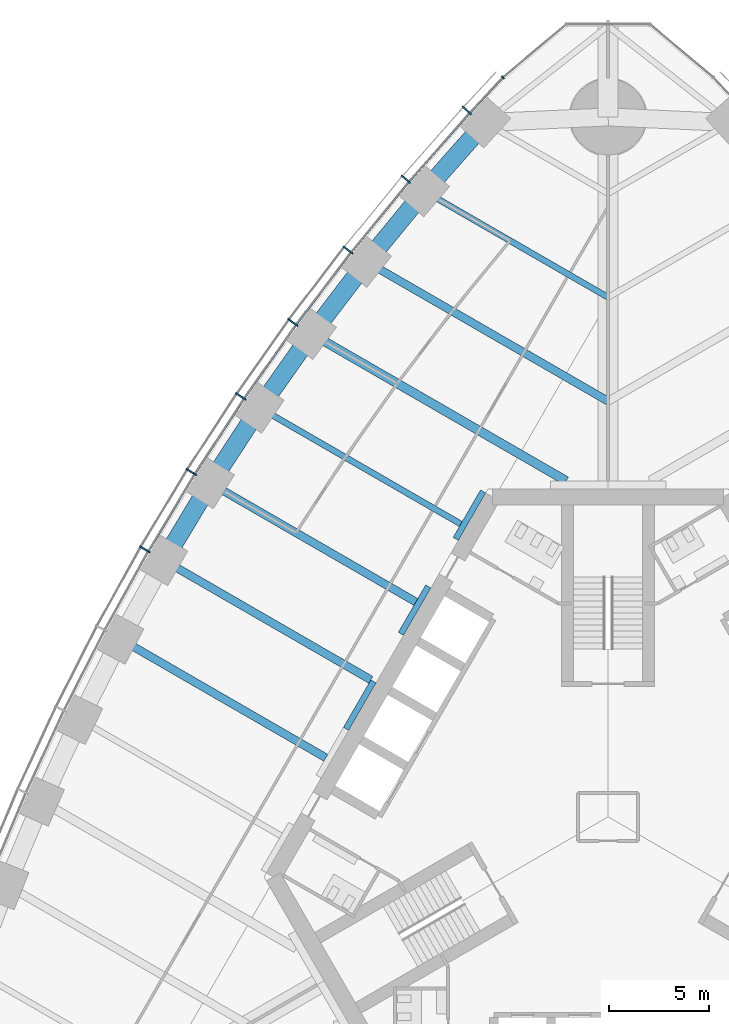
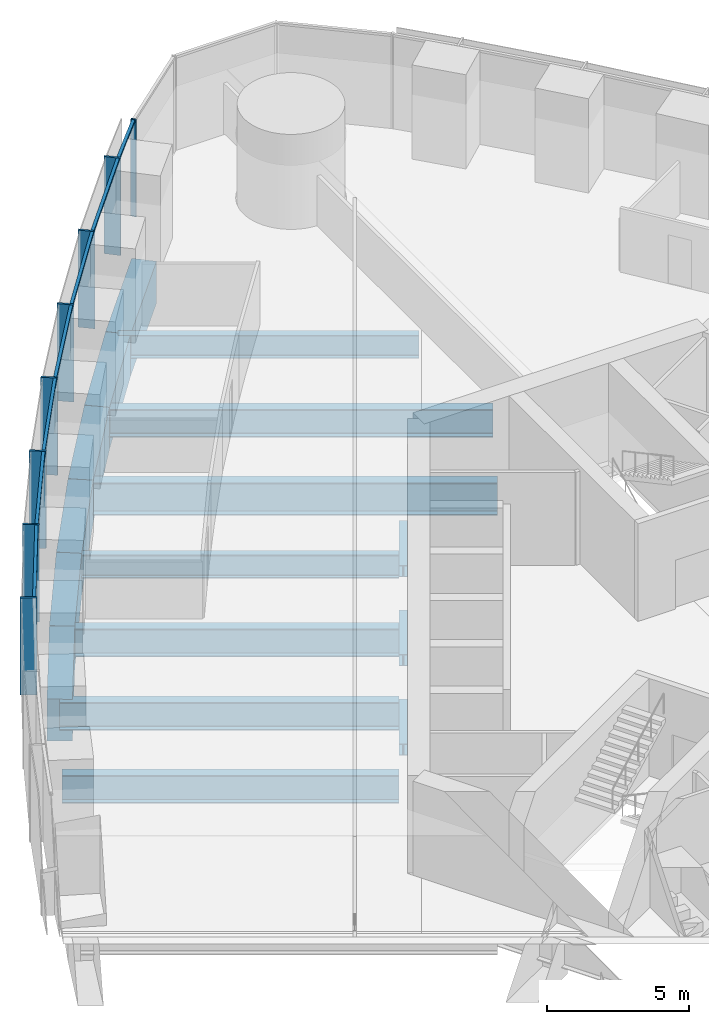
# One storey, part 4 of 18: 16 beams, 15 members, 2 elements without a shape of their own.
"""IFC4 building model written with IfcOpenShell, lengths in metres."""

from ifc_helpers import new_model, si_unit, direction, frame, origin, origin_2d, place, context, subcontext, project, spatial, rectangle, i_section, extrude, material, material_profile, profile_set, type_object, element, aggregate, save


model = new_model("IFC4")

# Units and contexts
model_context = context("Model", 3, precision=1e-05, world=origin(), true_north=direction((0.0, 1.0)))
body_context = subcontext(model_context, "Body", "Model", "MODEL_VIEW")
ifc_project = project(units=[si_unit("LENGTHUNIT", "METRE"), si_unit("AREAUNIT", "SQUARE_METRE"), si_unit("VOLUMEUNIT", "CUBIC_METRE"), si_unit("PLANEANGLEUNIT", "RADIAN"), si_unit("MASSUNIT", "GRAM", prefix="KILO")], contexts=[model_context])

# Site, building, storey
site_placement = place(None, origin())
site = spatial("IfcSite", under=ifc_project, at=site_placement, CompositionType="ELEMENT")
building_placement = place(site_placement, origin())
building = spatial("IfcBuilding", under=site, at=building_placement, Name="Trefoil Bronze Tower", CompositionType="ELEMENT")
storey_placement = place(building_placement, frame((0.0, 0.0, 170.300048828125)))
storey = spatial("IfcBuildingStorey", under=building, at=storey_placement, Name="L39", CompositionType="ELEMENT", Elevation=170.300048828125)

# Curtain wall, members
ifc_material_1 = material(Name="Tinted solar-control glass", Category="glass")
curtain_wall_type_1 = type_object("IfcCurtainWallType", Name="Bronze office curtain wall", PredefinedType="USERDEFINED", material=ifc_material_1)
curtain_wall_1_placement = place(storey_placement, origin())
curtain_wall_1 = element("IfcCurtainWall", 1, at=curtain_wall_1_placement, inside=storey, type_object=curtain_wall_type_1, Name="CW-A L39 F3", ObjectType="CURTAIN WALL", PredefinedType="USERDEFINED")
ifc_material_2 = material(Name="Bronze-finish aluminium", Category="aluminium")
ifc_material_profile_1 = material_profile(ifc_material_2, rectangle(XDim=0.60009765625, YDim=0.080078125, at=origin_2d()), Name="CW-A mullion")
ifc_profile_set_1 = profile_set([ifc_material_profile_1], Name="Bronze-finish aluminium")
member_type_1 = type_object("IfcMemberType", Name="Bronze office curtain wall mullion", PredefinedType="MULLION", material=ifc_profile_set_1)
member_1_placement = place(storey_placement, frame((-7.070068359375, 35.332275390625, 0.0), z_axis=(0.0, 0.0, 1.0), x_axis=(0.740360700327, -0.672209813534, 0.0)))
member_1 = element("IfcMember", 2, at=member_1_placement, type_object=member_type_1, Name="CW-A L39 F3 mullion 2", PredefinedType="MULLION", context=body_context, shape_type="SweptSolid", body=[
    extrude(rectangle(XDim=0.60009765625, YDim=0.080078125, at=origin_2d()), origin(), (0.0, 0.0, 1.0), 4.179931640625),
])
member_2_placement = place(storey_placement, frame((-10.11474609375, 31.8828125, 0.0), z_axis=(0.0, 0.0, 1.0), x_axis=(0.761721651066, -0.647904411389, 0.0)))
member_2 = element("IfcMember", 3, at=member_2_placement, type_object=member_type_1, Name="CW-A L39 F3 mullion 3", PredefinedType="MULLION", context=body_context, shape_type="SweptSolid", body=[
    extrude(rectangle(XDim=0.60009765625, YDim=0.080078125, at=origin_2d()), origin(), (0.0, 0.0, 1.0), 4.179931640625),
])
member_3_placement = place(storey_placement, frame((-13.01220703125, 28.34716796875, 0.0), z_axis=(0.0, 0.0, 1.0), x_axis=(0.78487913905, -0.619648882098, 0.0)))
member_3 = element("IfcMember", 4, at=member_3_placement, type_object=member_type_1, Name="CW-A L39 F3 mullion 4", PredefinedType="MULLION", context=body_context, shape_type="SweptSolid", body=[
    extrude(rectangle(XDim=0.60009765625, YDim=0.080078125, at=origin_2d()), origin(), (0.0, 0.0, 1.0), 4.179931640625),
])
member_4_placement = place(storey_placement, frame((-15.764404296875, 24.7275390625, 0.0), z_axis=(0.0, 0.0, 1.0), x_axis=(0.806874522901, -0.590722865897, 0.0)))
member_4 = element("IfcMember", 5, at=member_4_placement, type_object=member_type_1, Name="CW-A L39 F3 mullion 5", PredefinedType="MULLION", context=body_context, shape_type="SweptSolid", body=[
    extrude(rectangle(XDim=0.60009765625, YDim=0.080078125, at=origin_2d()), origin(), (0.0, 0.0, 1.0), 4.179931640625),
])
member_5_placement = place(storey_placement, frame((-18.373046875, 21.025146484375, 0.0), z_axis=(0.0, 0.0, 1.0), x_axis=(0.827723925749, -0.561135547566, 0.0)))
member_5 = element("IfcMember", 6, at=member_5_placement, type_object=member_type_1, Name="CW-A L39 F3 mullion 6", PredefinedType="MULLION", context=body_context, shape_type="SweptSolid", body=[
    extrude(rectangle(XDim=0.60009765625, YDim=0.080078125, at=origin_2d()), origin(), (0.0, 0.0, 1.0), 4.179931640625),
])
member_6_placement = place(storey_placement, frame((-20.840087890625, 17.24072265625, 0.0), z_axis=(0.0, 0.0, 1.0), x_axis=(0.84743864936, -0.530893337283, 0.0)))
member_6 = element("IfcMember", 7, at=member_6_placement, type_object=member_type_1, Name="CW-A L39 F3 mullion 7", PredefinedType="MULLION", context=body_context, shape_type="SweptSolid", body=[
    extrude(rectangle(XDim=0.60009765625, YDim=0.080078125, at=origin_2d()), origin(), (0.0, 0.0, 1.0), 4.179931640625),
])
member_7_placement = place(storey_placement, frame((-23.166015625, 13.374755859375, 0.0), z_axis=(0.0, 0.0, 1.0), x_axis=(0.866025403784, -0.5, 0.0)))
member_7 = element("IfcMember", 8, at=member_7_placement, type_object=member_type_1, Name="CW-A L39 F3 mullion 8", PredefinedType="MULLION", context=body_context, shape_type="SweptSolid", body=[
    extrude(rectangle(XDim=0.60009765625, YDim=0.080078125, at=origin_2d()), origin(), (0.0, 0.0, 1.0), 4.179931640625),
])
ifc_material_3 = material(Name="Bronze-finish aluminium", Category="aluminium")
ifc_material_profile_2 = material_profile(ifc_material_3, rectangle(XDim=0.1201171875, YDim=0.10009765625, at=origin_2d()), Name="CW-A transom")
ifc_profile_set_2 = profile_set([ifc_material_profile_2], Name="Bronze-finish aluminium")
member_type_2 = type_object("IfcMemberType", Name="Bronze office curtain wall transom", PredefinedType="USERDEFINED", material=ifc_profile_set_2)
member_8_placement = place(storey_placement, frame((-5.296630859375, 36.9384765625, 4.1298828125), z_axis=(-0.682489214428, -0.730895664366, 0.0), x_axis=(0.730895664366, -0.682489214428, 0.0)))
member_8 = element("IfcMember", 9, at=member_8_placement, type_object=member_type_2, Name="CW-A L39 F3 transom 1", ObjectType="TRANSOM", PredefinedType="USERDEFINED", context=body_context, shape_type="SweptSolid", body=[
    extrude(rectangle(XDim=0.1201171875, YDim=0.10009765625, at=origin_2d()), origin(), (0.0, 0.0, 1.0), 2.340087890625),
])
member_9_placement = place(storey_placement, frame((-6.949462890625, 35.166748046875, 4.1298828125), z_axis=(-0.66173618877, -0.749736764786, 0.0), x_axis=(0.749736764786, -0.66173618877, 0.0)))
member_9 = element("IfcMember", 10, at=member_9_placement, type_object=member_type_2, Name="CW-A L39 F3 transom 2", ObjectType="TRANSOM", PredefinedType="USERDEFINED", context=body_context, shape_type="SweptSolid", body=[
    extrude(rectangle(XDim=0.1201171875, YDim=0.10009765625, at=origin_2d()), origin(), (0.0, 0.0, 1.0), 4.510986328125),
])
member_10_placement = place(storey_placement, frame((-9.98876953125, 31.720947265625, 4.1298828125), z_axis=(-0.633848872297, -0.773456919995, 0.0), x_axis=(0.773456919995, -0.633848872297, 0.0)))
member_10 = element("IfcMember", 11, at=member_10_placement, type_object=member_type_2, Name="CW-A L39 F3 transom 3", ObjectType="TRANSOM", PredefinedType="USERDEFINED", context=body_context, shape_type="SweptSolid", body=[
    extrude(rectangle(XDim=0.1201171875, YDim=0.10009765625, at=origin_2d()), origin(), (0.0, 0.0, 1.0), 4.480224609375),
])
member_11_placement = place(storey_placement, frame((-12.880615234375, 28.18994140625, 4.1298828125), z_axis=(-0.605229114572, -0.796051329296, 0.0), x_axis=(0.796051329296, -0.605229114572, 0.0)))
member_11 = element("IfcMember", 12, at=member_11_placement, type_object=member_type_2, Name="CW-A L39 F3 transom 4", ObjectType="TRANSOM", PredefinedType="USERDEFINED", context=body_context, shape_type="SweptSolid", body=[
    extrude(rectangle(XDim=0.1201171875, YDim=0.10009765625, at=origin_2d()), origin(), (0.0, 0.0, 1.0), 4.456298828125),
])
member_12_placement = place(storey_placement, frame((-15.626953125, 24.5751953125, 4.1298828125), z_axis=(-0.576017858824, -0.817437108478, 0.0), x_axis=(0.817437108478, -0.576017858824, 0.0)))
member_12 = element("IfcMember", 13, at=member_12_placement, type_object=member_type_2, Name="CW-A L39 F3 transom 5", ObjectType="TRANSOM", PredefinedType="USERDEFINED", context=body_context, shape_type="SweptSolid", body=[
    extrude(rectangle(XDim=0.1201171875, YDim=0.10009765625, at=origin_2d()), origin(), (0.0, 0.0, 1.0), 4.4384765625),
])
member_13_placement = place(storey_placement, frame((-18.23046875, 20.877685546875, 4.1298828125), z_axis=(-0.546079336226, -0.837733465099, 0.0), x_axis=(0.837733465099, -0.546079336226, 0.0)))
member_13 = element("IfcMember", 14, at=member_13_placement, type_object=member_type_2, Name="CW-A L39 F3 transom 6", ObjectType="TRANSOM", PredefinedType="USERDEFINED", context=body_context, shape_type="SweptSolid", body=[
    extrude(rectangle(XDim=0.1201171875, YDim=0.10009765625, at=origin_2d()), origin(), (0.0, 0.0, 1.0), 4.426513671875),
])
member_14_placement = place(storey_placement, frame((-20.692138671875, 17.0986328125, 4.1298828125), z_axis=(-0.515526794174, -0.856873458854, 0.0), x_axis=(0.856873458854, -0.515526794174, 0.0)))
member_14 = element("IfcMember", 15, at=member_14_placement, type_object=member_type_2, Name="CW-A L39 F3 transom 7", ObjectType="TRANSOM", PredefinedType="USERDEFINED", context=body_context, shape_type="SweptSolid", body=[
    extrude(rectangle(XDim=0.1201171875, YDim=0.10009765625, at=origin_2d()), origin(), (0.0, 0.0, 1.0), 4.4208984375),
])
aggregate(curtain_wall_1, [member_1, member_2, member_3, member_4, member_5, member_6, member_7, member_8, member_9, member_10, member_11, member_12, member_13, member_14])

# Curtain wall, member
ifc_material_4 = material(Name="Tinted solar-control glass", Category="glass")
curtain_wall_type_2 = type_object("IfcCurtainWallType", Name="Bronze rounded corner curtain wall", PredefinedType="USERDEFINED", material=ifc_material_4)
curtain_wall_2_placement = place(storey_placement, origin())
curtain_wall_2 = element("IfcCurtainWall", 16, at=curtain_wall_2_placement, inside=storey, type_object=curtain_wall_type_2, Name="CW-B L39 K2", ObjectType="CURTAIN WALL", PredefinedType="USERDEFINED")
ifc_material_5 = material(Name="Bronze-finish aluminium", Category="aluminium")
ifc_material_profile_3 = material_profile(ifc_material_5, rectangle(XDim=0.199951171875, YDim=0.06005859375, at=origin_2d()), Name="CW-B mullion")
ifc_profile_set_3 = profile_set([ifc_material_profile_3], Name="Bronze-finish aluminium")
member_type_3 = type_object("IfcMemberType", Name="Bronze rounded corner curtain wall mullion", PredefinedType="MULLION", material=ifc_profile_set_3)
member_15_placement = place(storey_placement, frame((-5.260498046875, 36.975830078125, 0.0), z_axis=(0.0, 0.0, 1.0), x_axis=(0.642787609687, -0.766044443119, 0.0)))
member_15 = element("IfcMember", 17, at=member_15_placement, type_object=member_type_3, Name="CW-B L39 K2 mullion 4", PredefinedType="MULLION", context=body_context, shape_type="SweptSolid", body=[
    extrude(rectangle(XDim=0.199951171875, YDim=0.06005859375, at=origin_2d()), origin(), (0.0, 0.0, 1.0), 4.179931640625),
])
aggregate(curtain_wall_2, [member_15])

# Beams
ifc_material_6 = material(Name="Steel C355", Category="steel")
ifc_material_profile_4 = material_profile(ifc_material_6, i_section(OverallWidth=0.300048828125, OverallDepth=0.5, WebThickness=0.014404296875, FlangeThickness=0.028076171875, FilletRadius=0.027099609375, at=origin_2d()), Name="HEB 500")
ifc_profile_set_4 = profile_set([ifc_material_profile_4], Name="Steel C355")
beam_type_1 = type_object("IfcBeamType", Name="Core seat beam HEB 500", PredefinedType="BEAM", material=ifc_profile_set_4)
for number, where, z_axis, x_axis, name in (
    (18, (-6.249755859375, 16.27490234375, -0.449951171875), (-0.500035825175, -0.866004719122, 0.0), (0.866004719122, -0.500035825175, 0.0), "Core seat beam F3/-2 L39"),
    (19, (-8.9921875, 11.52490234375, -0.449951171875), (-0.500035825175, -0.866004719122, 0.0), (0.866004719122, -0.500035825175, 0.0), "Core seat beam F3/-1 L39"),
    (20, (-11.734619140625, 6.77490234375, -0.449951171875), (-0.500035825175, -0.866004719122, 0.0), (0.866004719122, -0.500035825175, 0.0), "Core seat beam F3/+0 L39"),
):
    element("IfcBeam", number, at=place(storey_placement, frame(where, z_axis=z_axis, x_axis=x_axis)), inside=storey, type_object=beam_type_1, Name=name, PredefinedType="BEAM", context=body_context, shape_type="SweptSolid", body=[
        extrude(i_section(OverallWidth=0.300048828125, OverallDepth=0.5, WebThickness=0.014404296875, FlangeThickness=0.028076171875, FilletRadius=0.027099609375, at=origin_2d()), origin(), (0.0, 0.0, 1.0), 2.742431640625),
    ])
ifc_material_7 = material(Name="Steel C355", Category="steel")
ifc_material_profile_5 = material_profile(ifc_material_7, i_section(OverallWidth=0.300048828125, OverallDepth=1.0, WebThickness=0.01904296875, FlangeThickness=0.035888671875, FilletRadius=0.030029296875, at=origin_2d()), Name="HEB 1000")
ifc_profile_set_5 = profile_set([ifc_material_profile_5], Name="Steel C355")
beam_type_2 = type_object("IfcBeamType", Name="Floor beam HEB 1000", PredefinedType="BEAM", material=ifc_profile_set_5)
beam_1_placement = place(storey_placement, frame((-9.181884765625, 31.281982421875, -0.699951171875), z_axis=(0.866021079084, -0.500007490527, 0.0), x_axis=(0.500007490527, 0.866021079084, 0.0)))
element("IfcBeam", 21, at=beam_1_placement, inside=storey, type_object=beam_type_2, Name="Floor beam F3/-5 L39", PredefinedType="BEAM", context=body_context, shape_type="SweptSolid", body=[
    extrude(i_section(OverallWidth=0.300048828125, OverallDepth=1.0, WebThickness=0.01904296875, FlangeThickness=0.035888671875, FilletRadius=0.030029296875, at=origin_2d()), origin(), (0.0, 0.0, 1.0), 10.602294921875),
])
ifc_material_8 = material(Name="Steel C355", Category="steel")
ifc_material_profile_6 = material_profile(ifc_material_8, i_section(OverallWidth=0.302001953125, OverallDepth=1.008056640625, WebThickness=0.02099609375, FlangeThickness=0.0400390625, FilletRadius=0.030029296875, at=origin_2d()), Name="HEM 1000")
ifc_profile_set_6 = profile_set([ifc_material_profile_6], Name="Steel C355")
beam_type_3 = type_object("IfcBeamType", Name="Floor beam HEM 1000", PredefinedType="BEAM", material=ifc_profile_set_6)
beam_2_placement = place(storey_placement, frame((-17.43017578125, 20.45556640625, -0.7041015625), z_axis=(0.866030626868, -0.499990953245, 0.0), x_axis=(0.499990953245, 0.866030626868, 0.0)))
element("IfcBeam", 22, at=beam_2_placement, inside=storey, type_object=beam_type_3, Name="Floor beam F3/-2 L39", PredefinedType="BEAM", context=body_context, shape_type="SweptSolid", body=[
    extrude(i_section(OverallWidth=0.302001953125, OverallDepth=1.008056640625, WebThickness=0.02099609375, FlangeThickness=0.0400390625, FilletRadius=0.030029296875, at=origin_2d()), origin(), (0.0, 0.0, 1.0), 11.622802734375),
])
ifc_material_9 = material(Name="Steel C355", Category="steel")
ifc_material_profile_7 = material_profile(ifc_material_9, i_section(OverallWidth=0.39990234375, OverallDepth=1.199951171875, WebThickness=0.02001953125, FlangeThickness=0.0400390625, FilletRadius=0.010009765625, at=origin_2d()), Name="WPG 1200")
ifc_profile_set_7 = profile_set([ifc_material_profile_7], Name="Steel C355")
beam_type_4 = type_object("IfcBeamType", Name="Floor beam WPG 1200", PredefinedType="BEAM", material=ifc_profile_set_7)
beam_3_placement = place(storey_placement, frame((-12.07666015625, 27.757080078125, -0.800048828125), z_axis=(0.866026983775, -0.499997263366, 0.0), x_axis=(0.499997263366, 0.866026983775, 0.0)))
element("IfcBeam", 23, at=beam_3_placement, inside=storey, type_object=beam_type_4, Name="Floor beam F3/-4 L39", PredefinedType="BEAM", context=body_context, shape_type="SweptSolid", body=[
    extrude(i_section(OverallWidth=0.39990234375, OverallDepth=1.199951171875, WebThickness=0.02001953125, FlangeThickness=0.0400390625, FilletRadius=0.010009765625, at=origin_2d()), origin(), (0.0, 0.0, 1.0), 13.94482421875),
])
beam_4_placement = place(storey_placement, frame((-19.892578125, 16.68115234375, -0.800048828125), z_axis=(0.866024236736, -0.500002021381, 0.0), x_axis=(0.500002021381, 0.866024236736, 0.0)))
element("IfcBeam", 24, at=beam_4_placement, inside=storey, type_object=beam_type_4, Name="Floor beam F3/-1 L39", PredefinedType="BEAM", context=body_context, shape_type="SweptSolid", body=[
    extrude(i_section(OverallWidth=0.39990234375, OverallDepth=1.199951171875, WebThickness=0.02001953125, FlangeThickness=0.0400390625, FilletRadius=0.010009765625, at=origin_2d()), origin(), (0.0, 0.0, 1.0), 11.8681640625),
])
beam_5_placement = place(storey_placement, frame((-22.21337890625, 12.824951171875, -0.800048828125), z_axis=(0.866028062731, -0.499995394541, 0.0), x_axis=(0.499995394541, 0.866028062731, 0.0)))
element("IfcBeam", 25, at=beam_5_placement, inside=storey, type_object=beam_type_4, Name="Floor beam F3/+0 L39", PredefinedType="BEAM", context=body_context, shape_type="SweptSolid", body=[
    extrude(i_section(OverallWidth=0.39990234375, OverallDepth=1.199951171875, WebThickness=0.02001953125, FlangeThickness=0.0400390625, FilletRadius=0.010009765625, at=origin_2d()), origin(), (0.0, 0.0, 1.0), 11.94970703125),
])
beam_6_placement = place(storey_placement, frame((-24.392578125, 8.886962890625, -0.800048828125), z_axis=(0.866024236736, -0.500002021381, 0.0), x_axis=(0.500002021381, 0.866024236736, 0.0)))
element("IfcBeam", 26, at=beam_6_placement, inside=storey, type_object=beam_type_4, Name="Floor beam F3/+1 L39", PredefinedType="BEAM", context=body_context, shape_type="SweptSolid", body=[
    extrude(i_section(OverallWidth=0.39990234375, OverallDepth=1.199951171875, WebThickness=0.02001953125, FlangeThickness=0.0400390625, FilletRadius=0.010009765625, at=origin_2d()), origin(), (0.0, 0.0, 1.0), 11.8681640625),
])
ifc_material_10 = material(Name="Steel C355", Category="steel")
ifc_material_profile_8 = material_profile(ifc_material_10, i_section(OverallWidth=0.449951171875, OverallDepth=1.39990234375, WebThickness=0.02294921875, FlangeThickness=0.044921875, FilletRadius=0.011962890625, at=origin_2d()), Name="WPG 1400")
ifc_profile_set_8 = profile_set([ifc_material_profile_8], Name="Steel C355")
beam_type_5 = type_object("IfcBeamType", Name="Floor beam WPG 1400", PredefinedType="BEAM", material=ifc_profile_set_8)
beam_7_placement = place(storey_placement, frame((-14.825439453125, 24.14794921875, -0.900146484375), z_axis=(0.866027342682, -0.499996641717, 0.0), x_axis=(0.499996641717, 0.866027342682, 0.0)))
element("IfcBeam", 27, at=beam_7_placement, inside=storey, type_object=beam_type_5, Name="Floor beam F3/-3 L39", PredefinedType="BEAM", context=body_context, shape_type="SweptSolid", body=[
    extrude(i_section(OverallWidth=0.449951171875, OverallDepth=1.39990234375, WebThickness=0.02294921875, FlangeThickness=0.044921875, FilletRadius=0.011962890625, at=origin_2d()), origin(), (0.0, 0.0, 1.0), 14.69580078125),
])
ifc_material_11 = material(Name="Concrete B80", Category="concrete")
ifc_material_profile_9 = material_profile(ifc_material_11, rectangle(XDim=0.89990234375, YDim=1.800048828125, at=origin_2d()), Name="RC 900x1800")
ifc_profile_set_9 = profile_set([ifc_material_profile_9], Name="Concrete B80")
beam_type_6 = type_object("IfcBeamType", Name="Spandrel beam RC 900x1800", PredefinedType="SPANDREL", material=ifc_profile_set_9)
beam_8_placement = place(storey_placement, frame((-6.13916015625, 34.72119140625, -1.10009765625), z_axis=(-0.662616326239, -0.748959013699, 0.0), x_axis=(0.748959013699, -0.662616326239, 0.0)))
element("IfcBeam", 28, at=beam_8_placement, inside=storey, type_object=beam_type_6, Name="Spandrel F3.2 L39", PredefinedType="SPANDREL", context=body_context, shape_type="SweptSolid", body=[
    extrude(rectangle(XDim=0.89990234375, YDim=1.800048828125, at=origin_2d()), origin(), (0.0, 0.0, 1.0), 4.592041015625),
])
beam_9_placement = place(storey_placement, frame((-9.181884765625, 31.281982421875, -1.10009765625), z_axis=(-0.634650386838, -0.772799383079, 0.0), x_axis=(0.772799383079, -0.634650386838, 0.0)))
element("IfcBeam", 29, at=beam_9_placement, inside=storey, type_object=beam_type_6, Name="Spandrel F3.3 L39", PredefinedType="SPANDREL", context=body_context, shape_type="SweptSolid", body=[
    extrude(rectangle(XDim=0.89990234375, YDim=1.800048828125, at=origin_2d()), origin(), (0.0, 0.0, 1.0), 4.561279296875),
])
beam_10_placement = place(storey_placement, frame((-12.07666015625, 27.757080078125, -1.10009765625), z_axis=(-0.605898901788, -0.795541652468, 0.0), x_axis=(0.795541652468, -0.605898901788, 0.0)))
element("IfcBeam", 30, at=beam_10_placement, inside=storey, type_object=beam_type_6, Name="Spandrel F3.4 L39", PredefinedType="SPANDREL", context=body_context, shape_type="SweptSolid", body=[
    extrude(rectangle(XDim=0.89990234375, YDim=1.800048828125, at=origin_2d()), origin(), (0.0, 0.0, 1.0), 4.53662109375),
])
beam_11_placement = place(storey_placement, frame((-14.825439453125, 24.14794921875, -1.10009765625), z_axis=(-0.576439228712, -0.81714002203, 0.0), x_axis=(0.81714002203, -0.576439228712, 0.0)))
element("IfcBeam", 31, at=beam_11_placement, inside=storey, type_object=beam_type_6, Name="Spandrel F3.5 L39", PredefinedType="SPANDREL", context=body_context, shape_type="SweptSolid", body=[
    extrude(rectangle(XDim=0.89990234375, YDim=1.800048828125, at=origin_2d()), origin(), (0.0, 0.0, 1.0), 4.5185546875),
])
beam_12_placement = place(storey_placement, frame((-17.43017578125, 20.45556640625, -1.10009765625), z_axis=(-0.546396670296, -0.83752652417, 0.0), x_axis=(0.83752652417, -0.546396670296, 0.0)))
element("IfcBeam", 32, at=beam_12_placement, inside=storey, type_object=beam_type_6, Name="Spandrel F3.6 L39", PredefinedType="SPANDREL", context=body_context, shape_type="SweptSolid", body=[
    extrude(rectangle(XDim=0.89990234375, YDim=1.800048828125, at=origin_2d()), origin(), (0.0, 0.0, 1.0), 4.506591796875),
])
beam_13_placement = place(storey_placement, frame((-19.892578125, 16.68115234375, -1.10009765625), z_axis=(-0.515651979972, -0.856798129988, 0.0), x_axis=(0.856798129988, -0.515651979972, 0.0)))
element("IfcBeam", 33, at=beam_13_placement, inside=storey, type_object=beam_type_6, Name="Spandrel F3.7 L39", PredefinedType="SPANDREL", context=body_context, shape_type="SweptSolid", body=[
    extrude(rectangle(XDim=0.89990234375, YDim=1.800048828125, at=origin_2d()), origin(), (0.0, 0.0, 1.0), 4.500732421875),
])

save(model, "model.ifc")
